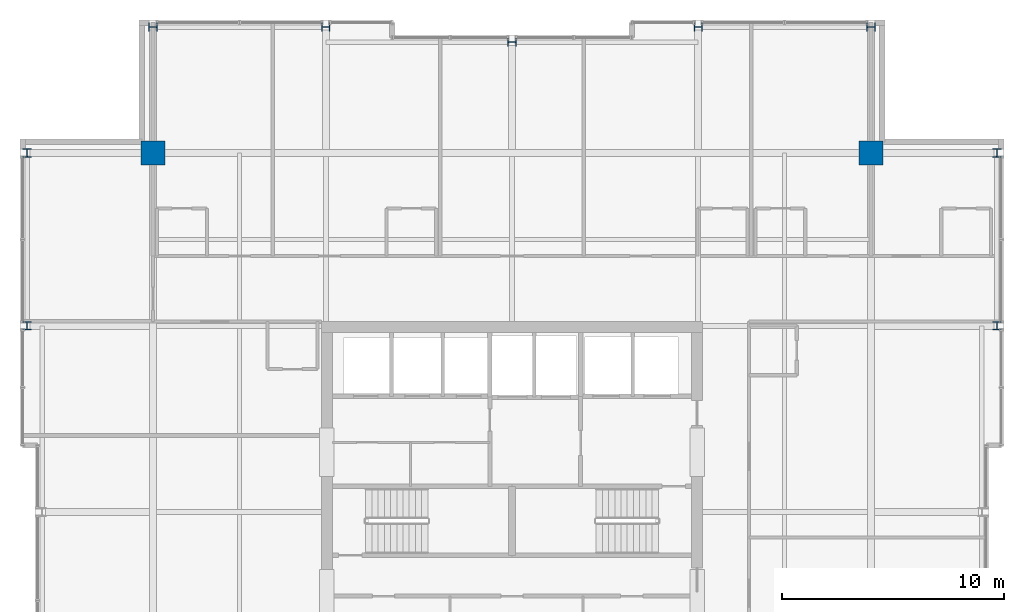
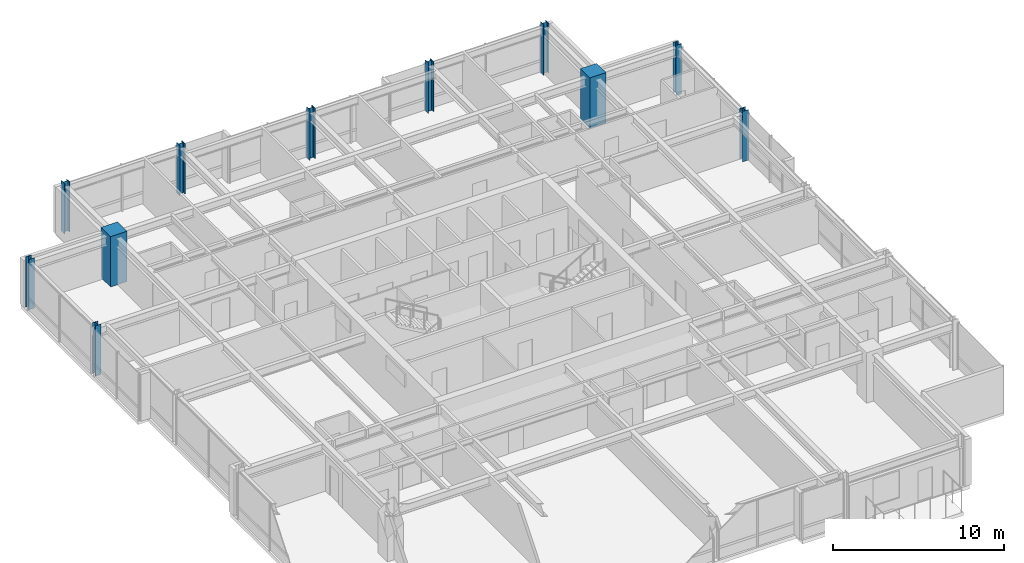
# One storey, part 2 of 32: 11 columns.
"""IFC4 building model written with IfcOpenShell, lengths in metres."""

import ifcopenshell
import ifcopenshell.guid

model = None  # the IFC model being written
_history = None  # IfcOwnerHistory: only IFC2X3 demands one
_inside = {}  # id of a spatial element -> (the spatial element, [elements in it])
_under = {}  # id of a project, library or spatial element -> (it, [spatial elements below it])
_declared = {}  # id of a project -> (the project, [libraries it declares])
_typed = {}  # id of a type object -> (the type object, [elements of that type])
_made_of = {}  # id of a material, layer set ... -> (it, [elements and type objects made of it])


def new_model(schema):
    """Start an empty IFC model of exactly this schema.

    Asked for "IFC4X3", IfcOpenShell would pick the latest addendum, in which some entities
    have other attributes; the version numbers below select the first issue.
    IFC2X3 requires an IfcOwnerHistory on every rooted entity: one is made here for all.
    """
    global model, _history
    if schema == "IFC4X3":
        model = ifcopenshell.file(schema_version=(4, 3, 0, 0))
    else:
        model = ifcopenshell.file(schema=schema)
    _inside.clear()
    _under.clear()
    _declared.clear()
    _typed.clear()
    _made_of.clear()
    _history = None
    if model.schema == "IFC2X3":
        org = make("IfcOrganization", Name="unknown")
        user = make(
            "IfcPersonAndOrganization",
            ThePerson=make("IfcPerson", FamilyName="unknown"),
            TheOrganization=org,
        )
        app = make(
            "IfcApplication",
            ApplicationDeveloper=org,
            Version="unknown",
            ApplicationFullName="unknown",
            ApplicationIdentifier="unknown",
        )
        _history = make(
            "IfcOwnerHistory",
            OwningUser=user,
            OwningApplication=app,
            ChangeAction="ADDED",
            CreationDate=0,
        )
    return model


def make(cls, **values):
    """One entity of the class cls with the attributes given. An attribute that is None is left unset."""
    return model.create_entity(
        cls, **{name: value for name, value in values.items() if value is not None}
    )


def rooted(cls, **values):
    """An entity with a GlobalId (a new one), such as an element, a storey or a relation."""
    return make(cls, GlobalId=ifcopenshell.guid.new(), OwnerHistory=_history, **values)


def si_unit(unit_type, name, prefix=None):
    """IfcSIUnit, for example si_unit("LENGTHUNIT", "METRE", prefix="MILLI")."""
    return make("IfcSIUnit", UnitType=unit_type, Prefix=prefix, Name=name)


def assignment(units):
    """IfcUnitAssignment: the units of a project."""
    return None if units is None else make("IfcUnitAssignment", Units=units)


def point(xyz):
    """IfcCartesianPoint."""
    return None if xyz is None else make("IfcCartesianPoint", Coordinates=xyz)


def direction(xyz):
    """IfcDirection."""
    return None if xyz is None else make("IfcDirection", DirectionRatios=xyz)


def frame(location, z_axis=None, x_axis=None):
    """IfcAxis2Placement3D, a coordinate frame: its origin and axes. An axis left out is left unset."""
    return make(
        "IfcAxis2Placement3D",
        Location=point(location),
        Axis=direction(z_axis),
        RefDirection=direction(x_axis),
    )


def frame_2d(location, x_axis=None):
    """IfcAxis2Placement2D, a coordinate frame in the plane: its origin and x axis."""
    return make(
        "IfcAxis2Placement2D", Location=point(location), RefDirection=direction(x_axis)
    )


def origin():
    """The frame at (0, 0, 0) with its axes left unset."""
    return frame((0.0, 0.0, 0.0))


def origin_2d():
    """The frame at (0, 0) in the plane with its x axis left unset."""
    return frame_2d((0.0, 0.0))


def place(relative_to, where):
    """IfcLocalPlacement: puts the frame where relative to a parent placement (None: the world)."""
    return make(
        "IfcLocalPlacement", PlacementRelTo=relative_to, RelativePlacement=where
    )


def context(
    kind, dimensions, precision=None, world=None, true_north=None, identifier=None
):
    """IfcGeometricRepresentationContext, for example the 3D "Model" context."""
    return make(
        "IfcGeometricRepresentationContext",
        ContextIdentifier=identifier,
        ContextType=kind,
        CoordinateSpaceDimension=dimensions,
        Precision=precision,
        WorldCoordinateSystem=world,
        TrueNorth=true_north,
    )


def subcontext(parent, identifier, kind, view, scale=None):
    """IfcGeometricRepresentationSubContext, for example "Body" below "Model"."""
    return make(
        "IfcGeometricRepresentationSubContext",
        ContextIdentifier=identifier,
        ContextType=kind,
        ParentContext=parent,
        TargetScale=scale,
        TargetView=view,
    )


def project(units=None, contexts=None):
    """IfcProject with its units and contexts."""
    return rooted(
        "IfcProject",
        Name="project",
        RepresentationContexts=contexts,
        UnitsInContext=assignment(units),
    )


def spatial(cls, under=None, at=None, **own):
    """A site, building, storey or space (cls), placed at a placement, below another one or the project."""
    s = rooted(cls, ObjectPlacement=at, **own)
    if under is not None:
        _under.setdefault(under.id(), (under, []))[1].append(s)
    return s


def profile(cls, at=None, kind="AREA", **sizes):
    """A parametric profile (cls). Its sizes go by their IFC names, for example OverallWidth=200.0."""
    return make(cls, ProfileType=kind, Position=at, **sizes)


def rectangle(**sizes):
    """IfcRectangleProfileDef."""
    return profile("IfcRectangleProfileDef", **sizes)


def i_section(**sizes):
    """IfcIShapeProfileDef."""
    return profile("IfcIShapeProfileDef", **sizes)


def extrude(swept, where, along, depth):
    """IfcExtrudedAreaSolid: the profile swept, set in the frame where, extruded along a direction by depth."""
    return make(
        "IfcExtrudedAreaSolid",
        SweptArea=swept,
        Position=where,
        ExtrudedDirection=direction(along),
        Depth=depth,
    )


def shape(context_of_items, identifier, shape_type, items):
    """IfcShapeRepresentation: the items that make up one representation, for example the "Body"."""
    return make(
        "IfcShapeRepresentation",
        ContextOfItems=context_of_items,
        RepresentationIdentifier=identifier,
        RepresentationType=shape_type,
        Items=items,
    )


def material(Name=None, Category=None):
    """IfcMaterial."""
    return make("IfcMaterial", Name=Name, Category=Category)


def material_profile(
    of_material, cross_section, Name=None, Category=None, Priority=None
):
    """IfcMaterialProfile: a cross section and its material."""
    return make(
        "IfcMaterialProfile",
        Name=Name,
        Material=of_material,
        Profile=cross_section,
        Priority=Priority,
        Category=Category,
    )


def profile_set(profiles, Name=None, composite=None):
    """IfcMaterialProfileSet."""
    return make(
        "IfcMaterialProfileSet",
        Name=Name,
        MaterialProfiles=profiles,
        CompositeProfile=composite,
    )


def made_of(thing, what):
    """Note that an element or type object is made of a material, layer set ...; save() writes the relation."""
    if what is not None:
        _made_of.setdefault(what.id(), (what, []))[1].append(thing)
    return thing


def type_object(cls, material=None, **own):
    """A type object (cls), such as IfcWallType, which elements share."""
    return made_of(rooted(cls, **own), material)


def element(
    cls,
    number,
    at=None,
    inside=None,
    cuts=None,
    type_object=None,
    material=None,
    context=None,
    identifier="Body",
    shape_type=None,
    held_by="IfcProductDefinitionShape",
    body=None,
    shapes=None,
    **own,
):
    """One element of the class cls, such as IfcWall. Its Tag is "e" and its number.

    at: its placement. inside: the storey or other place that contains it. cuts: it is an
    opening in that element (IfcRelVoidsElement). A single representation is given by context,
    identifier, shape_type and body (its items); several are given by shapes. held_by: the class
    of the entity that holds the representations. save() writes the other relations.
    """
    e = rooted(cls, Tag="e%d" % number, ObjectPlacement=at, **own)
    if body is not None:
        shapes = [shape(context, identifier, shape_type, body)]
    if shapes is not None:
        e.Representation = make(held_by, Representations=shapes)
    if inside is not None:
        _inside.setdefault(inside.id(), (inside, []))[1].append(e)
    if cuts is not None:
        rooted(
            "IfcRelVoidsElement", RelatingBuildingElement=cuts, RelatedOpeningElement=e
        )
    if type_object is not None:
        _typed.setdefault(type_object.id(), (type_object, []))[1].append(e)
    return made_of(e, material)


def aggregate(whole, parts):
    """IfcRelAggregates: a whole, such as a stair, and the parts it consists of."""
    return rooted("IfcRelAggregates", RelatingObject=whole, RelatedObjects=parts)


def save(model, path):
    """Write the relations noted so far, then the file.

    IfcRelAggregates (storeys below a building ...), IfcRelContainedInSpatialStructure (elements
    in a storey), IfcRelDefinesByType, IfcRelAssociatesMaterial and IfcRelDeclares: one each for
    every whole, place, type object, material and project.
    """
    for whole, parts in _under.values():
        aggregate(whole, parts)
    for where, things in _inside.values():
        rooted(
            "IfcRelContainedInSpatialStructure",
            RelatedElements=things,
            RelatingStructure=where,
        )
    for kind, things in _typed.values():
        rooted("IfcRelDefinesByType", RelatedObjects=things, RelatingType=kind)
    for what, things in _made_of.values():
        rooted("IfcRelAssociatesMaterial", RelatedObjects=things, RelatingMaterial=what)
    for by, libraries in _declared.values():
        rooted("IfcRelDeclares", RelatingContext=by, RelatedDefinitions=libraries)
    model.write(path)


model = new_model("IFC4")

# Units and contexts
model_context = context("Model", 3, precision=1e-05, world=origin(), true_north=direction((0.0, 1.0)))
body_context = subcontext(model_context, "Body", "Model", "MODEL_VIEW")
ifc_project = project(units=[si_unit("LENGTHUNIT", "METRE"), si_unit("AREAUNIT", "SQUARE_METRE"), si_unit("VOLUMEUNIT", "CUBIC_METRE"), si_unit("PLANEANGLEUNIT", "RADIAN"), si_unit("MASSUNIT", "GRAM", prefix="KILO")], contexts=[model_context])

# Site, building, storey
site_placement = place(None, origin())
site = spatial("IfcSite", under=ifc_project, at=site_placement, CompositionType="ELEMENT")
building_placement = place(site_placement, origin())
building = spatial("IfcBuilding", under=site, at=building_placement, Name="Drelvath Grand Hotel", CompositionType="ELEMENT")
storey_placement = place(building_placement, frame((0.0, 0.0, 237.5)))
storey = spatial("IfcBuildingStorey", under=building, at=storey_placement, Name="L62", CompositionType="ELEMENT", Elevation=237.5)

# Columns
ifc_material_1 = material(Name="Concrete f'c 55 MPa", Category="concrete")
ifc_material_profile_1 = material_profile(ifc_material_1, rectangle(XDim=1.10009765625, YDim=1.10009765625, at=origin_2d()), Name="MC1100X1100")
ifc_profile_set_1 = profile_set([ifc_material_profile_1], Name="Concrete f'c 55 MPa")
column_type_1 = type_object("IfcColumnType", Name="Composite Mega Column MC1100X1100", PredefinedType="COLUMN", material=ifc_profile_set_1)
for number, where, z_axis, x_axis, name in (
    (1, (-16.199951171875, 43.199951171875, 0.0), (0.0, 0.0, 1.0), (1.0, 0.0, 0.0), "L62 Composite Mega Column MC-NW"),
    (2, (16.199951171875, 43.199951171875, 0.0), (0.0, 0.0, 1.0), (1.0, 0.0, 0.0), "L62 Composite Mega Column MC-NE"),
):
    element("IfcColumn", number, at=place(storey_placement, frame(where, z_axis=z_axis, x_axis=x_axis)), inside=storey, type_object=column_type_1, Name=name, PredefinedType="COLUMN", context=body_context, shape_type="SweptSolid", body=[
        extrude(rectangle(XDim=1.10009765625, YDim=1.10009765625, at=origin_2d()), origin(), (0.0, 0.0, 1.0), 3.60009765625),
    ])
ifc_material_2 = material(Name="Steel ASTM A913 Gr 65", Category="steel")
ifc_material_profile_2 = material_profile(ifc_material_2, i_section(OverallWidth=0.3740234375, OverallDepth=0.372314453125, WebThickness=0.016357421875, FlangeThickness=0.026123046875, FilletRadius=0.02490234375, at=origin_2d()), Name="W14X132")
ifc_profile_set_2 = profile_set([ifc_material_profile_2], Name="Steel ASTM A913 Gr 65")
column_type_2 = type_object("IfcColumnType", Name="Perimeter Steel Column W14X132", PredefinedType="COLUMN", material=ifc_profile_set_2)
for number, where, z_axis, x_axis, name in (
    (3, (-21.8798828125, 35.39990234375, 0.0), (0.0, 0.0, 1.0), (1.0, 0.0, 0.0), "L62 Structural Column TCW-F"),
    (4, (21.8798828125, 35.39990234375, 0.0), (0.0, 0.0, 1.0), (1.0, 0.0, 0.0), "L62 Structural Column TCE-F"),
    (5, (-21.8798828125, 43.199951171875, 0.0), (0.0, 0.0, 1.0), (1.0, 0.0, 0.0), "L62 Structural Column TCW-G"),
    (6, (21.8798828125, 43.199951171875, 0.0), (0.0, 0.0, 1.0), (1.0, 0.0, 0.0), "L62 Structural Column TCE-G"),
    (7, (-16.199951171875, 48.8798828125, 0.0), (0.0, 0.0, 1.0), (0.0, 1.0, 0.0), "L62 Structural Column TCN-3"),
    (8, (-8.39990234375, 48.8798828125, 0.0), (0.0, 0.0, 1.0), (0.0, 1.0, 0.0), "L62 Structural Column TCN-4"),
    (9, (0.0, 48.199951171875, 0.0), (0.0, 0.0, 1.0), (0.0, 1.0, 0.0), "L62 Structural Column TCN-5"),
    (10, (8.39990234375, 48.8798828125, 0.0), (0.0, 0.0, 1.0), (0.0, 1.0, 0.0), "L62 Structural Column TCN-6"),
    (11, (16.199951171875, 48.8798828125, 0.0), (0.0, 0.0, 1.0), (0.0, 1.0, 0.0), "L62 Structural Column TCN-7"),
):
    element("IfcColumn", number, at=place(storey_placement, frame(where, z_axis=z_axis, x_axis=x_axis)), inside=storey, type_object=column_type_2, Name=name, PredefinedType="COLUMN", context=body_context, shape_type="SweptSolid", body=[
        extrude(i_section(OverallWidth=0.3740234375, OverallDepth=0.372314453125, WebThickness=0.016357421875, FlangeThickness=0.026123046875, FilletRadius=0.02490234375, at=origin_2d()), origin(), (0.0, 0.0, 1.0), 3.596923828125),
    ])

save(model, "model.ifc")
